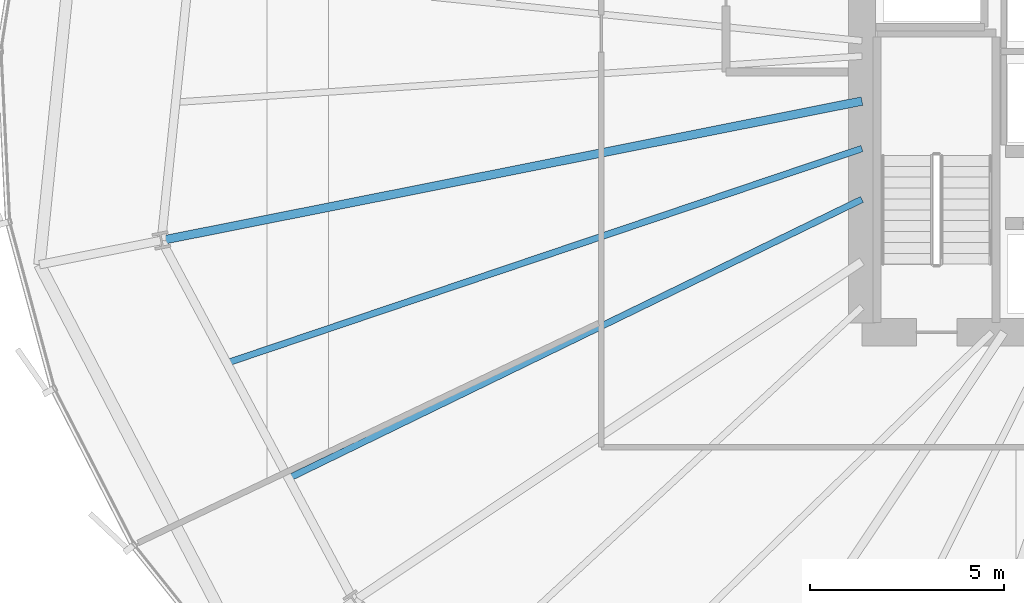
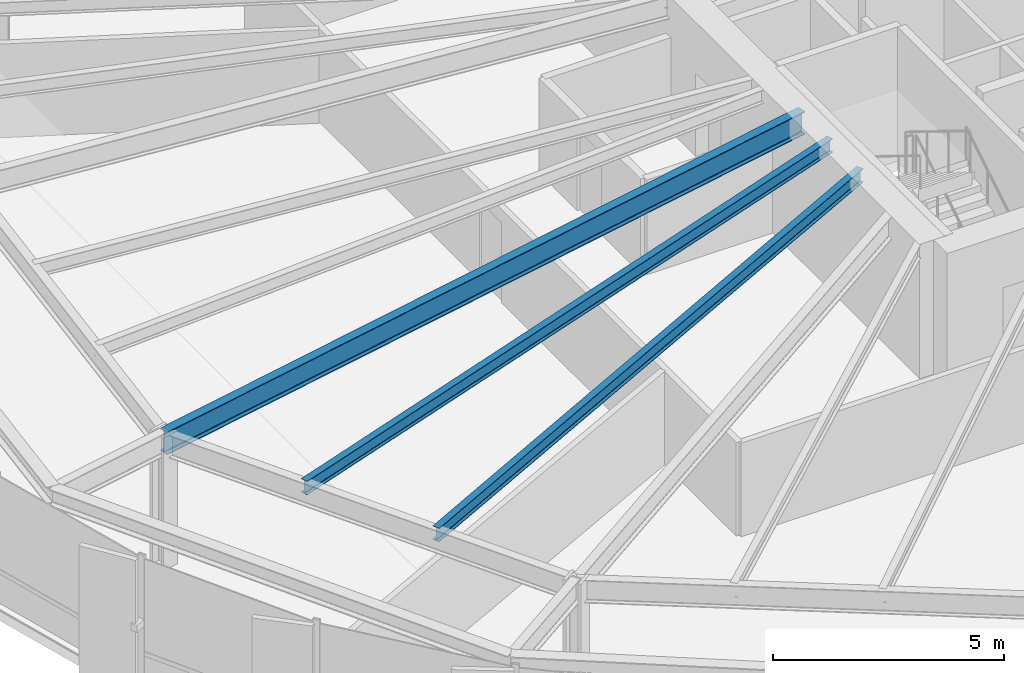
# One storey, part 7 of 38: 3 beams.
"""IFC4 building model written with IfcOpenShell, lengths in metres."""

from ifc_helpers import new_model, si_unit, direction, frame, origin, origin_2d, place, context, subcontext, project, spatial, i_section, extrude, source, transform, mapped, material, material_profile, profile_set, type_object, element, save


model = new_model("IFC4")

# Units and contexts
model_context = context("Model", 3, precision=1e-05, world=origin(), true_north=direction((0.0, 1.0)))
body_context = subcontext(model_context, "Body", "Model", "MODEL_VIEW")
ifc_project = project(units=[si_unit("LENGTHUNIT", "METRE"), si_unit("AREAUNIT", "SQUARE_METRE"), si_unit("VOLUMEUNIT", "CUBIC_METRE"), si_unit("PLANEANGLEUNIT", "RADIAN"), si_unit("MASSUNIT", "GRAM", prefix="KILO"), si_unit("THERMODYNAMICTEMPERATUREUNIT", "KELVIN")], contexts=[model_context])

# Site, building, storey
site_placement = place(None, origin())
site = spatial("IfcSite", under=ifc_project, at=site_placement, CompositionType="ELEMENT")
building_placement = place(site_placement, origin())
building = spatial("IfcBuilding", under=site, at=building_placement, Name="Kethvar Cultural Tower", CompositionType="ELEMENT")
storey_placement = place(building_placement, frame((0.0, 0.0, 67.60009765625)))
storey = spatial("IfcBuildingStorey", under=building, at=storey_placement, Name="L16", CompositionType="ELEMENT", Elevation=67.60009765625)

# Beams
ifc_material = material(Name="Steel S355J2", Category="steel")
ifc_material_profile_1 = material_profile(ifc_material, i_section(OverallWidth=0.219970703125, OverallDepth=0.60009765625, WebThickness=0.011962890625, FlangeThickness=0.01904296875, FilletRadius=0.02392578125, at=origin_2d()), Name="Steel S355J2 — IPE600")
ifc_profile_set_1 = profile_set([ifc_material_profile_1], Name="Steel S355J2 — IPE600")
beam_type_1 = type_object("IfcBeamType", Name="BM-IPE600", PredefinedType="BEAM", material=ifc_profile_set_1)
shared_shape_1 = source(origin(), body_context, "Body", "SweptSolid", [
    extrude(i_section(OverallWidth=0.219970703125, OverallDepth=0.60009765625, WebThickness=0.011962890625, FlangeThickness=0.01904296875, FilletRadius=0.02392578125, at=origin_2d()), origin(), (0.0, 0.0, 1.0), 18.387451171875),
])
beam_1_placement = place(storey_placement, frame((38.0, 26.049560546875, 3.247802734375), z_axis=(-0.980785937774, -0.195087017162, 0.0), x_axis=(0.195087017162, -0.980785937774, 0.0)))
element("IfcBeam", 1, at=beam_1_placement, inside=storey, type_object=beam_type_1, Name="L16 Primary Radial Beam RB-09", PredefinedType="BEAM", context=body_context, shape_type="MappedRepresentation", body=[
    mapped(shared_shape_1, transform((0.0, 0.0, 0.0), scale=1.0)),
])
ifc_material_profile_2 = material_profile(ifc_material, i_section(OverallWidth=0.169921875, OverallDepth=0.360107421875, WebThickness=0.008056640625, FlangeThickness=0.0126953125, FilletRadius=0.01806640625, at=origin_2d()), Name="Steel S355J2 — IPE360")
ifc_profile_set_2 = profile_set([ifc_material_profile_2], Name="Steel S355J2 — IPE360")
beam_type_2 = type_object("IfcBeamType", Name="BM-J360", PredefinedType="JOIST", material=ifc_profile_set_2)
shared_shape_2 = source(origin(), body_context, "Body", "SweptSolid", [
    extrude(i_section(OverallWidth=0.169921875, OverallDepth=0.360107421875, WebThickness=0.008056640625, FlangeThickness=0.0126953125, FilletRadius=0.01806640625, at=origin_2d()), origin(), (0.0, 0.0, 1.0), 17.255126953125),
])
beam_2_placement = place(storey_placement, frame((38.0, 24.828369140625, 3.367919921875), z_axis=(-0.947435140552, -0.319947893332, 0.0), x_axis=(0.319947893332, -0.947435140552, 0.0)))
element("IfcBeam", 2, at=beam_2_placement, inside=storey, type_object=beam_type_2, Name="L16 Composite Floor Joist J-09A", PredefinedType="JOIST", context=body_context, shape_type="MappedRepresentation", body=[
    mapped(shared_shape_2, transform((0.0, 0.0, 0.0), scale=1.0)),
])
shared_shape_3 = source(origin(), body_context, "Body", "SweptSolid", [
    extrude(i_section(OverallWidth=0.169921875, OverallDepth=0.360107421875, WebThickness=0.008056640625, FlangeThickness=0.0126953125, FilletRadius=0.01806640625, at=origin_2d()), origin(), (0.0, 0.0, 1.0), 16.4150390625),
])
beam_3_placement = place(storey_placement, frame((38.0, 23.51904296875, 3.367919921875), z_axis=(-0.899246473736, -0.437442315595, 0.0), x_axis=(0.437442315595, -0.899246473736, 0.0)))
element("IfcBeam", 3, at=beam_3_placement, inside=storey, type_object=beam_type_2, Name="L16 Composite Floor Joist J-09B", PredefinedType="JOIST", context=body_context, shape_type="MappedRepresentation", body=[
    mapped(shared_shape_3, transform((0.0, 0.0, 0.0), scale=1.0)),
])

save(model, "model.ifc")
